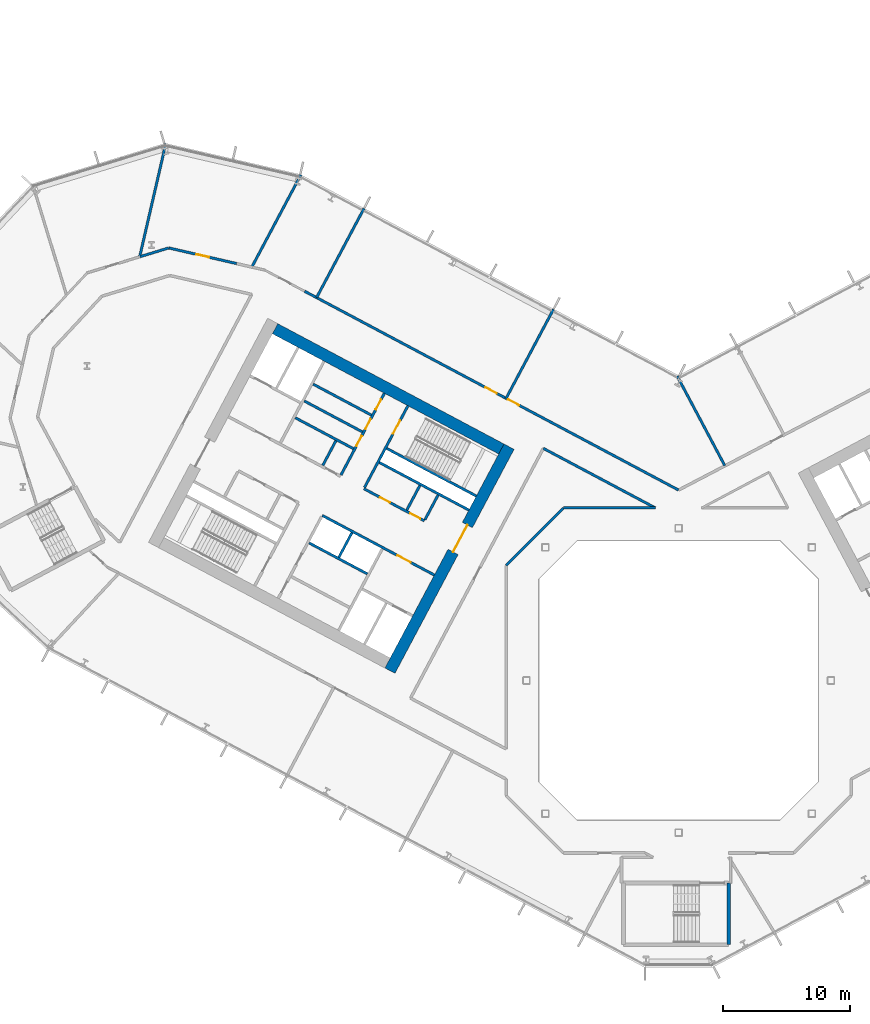
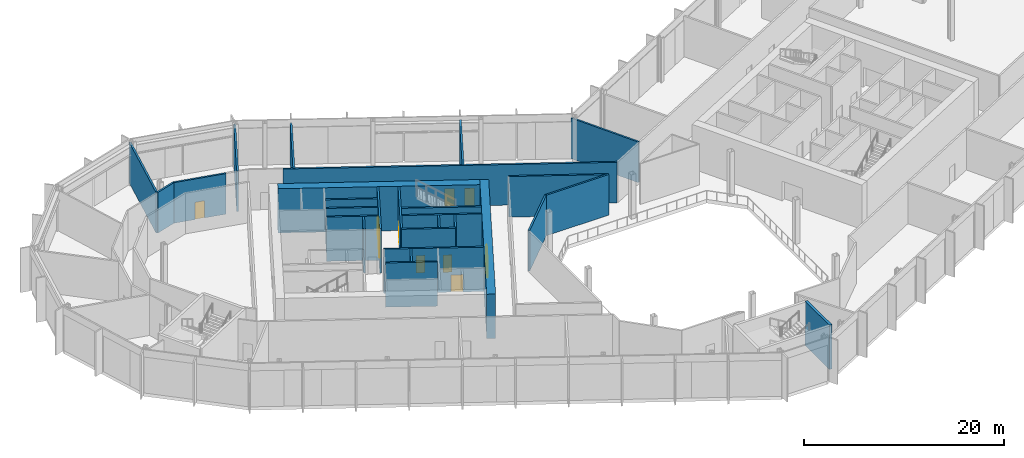
# One storey, part 14 of 31: 28 walls, 11 doors, 11 openings.
"""IFC4 building model written with IfcOpenShell, lengths in metres."""

import ifcopenshell
import ifcopenshell.guid

model = None  # the IFC model being written
_history = None  # IfcOwnerHistory: only IFC2X3 demands one
_inside = {}  # id of a spatial element -> (the spatial element, [elements in it])
_under = {}  # id of a project, library or spatial element -> (it, [spatial elements below it])
_declared = {}  # id of a project -> (the project, [libraries it declares])
_typed = {}  # id of a type object -> (the type object, [elements of that type])
_made_of = {}  # id of a material, layer set ... -> (it, [elements and type objects made of it])


def new_model(schema):
    """Start an empty IFC model of exactly this schema.

    Asked for "IFC4X3", IfcOpenShell would pick the latest addendum, in which some entities
    have other attributes; the version numbers below select the first issue.
    IFC2X3 requires an IfcOwnerHistory on every rooted entity: one is made here for all.
    """
    global model, _history
    if schema == "IFC4X3":
        model = ifcopenshell.file(schema_version=(4, 3, 0, 0))
    else:
        model = ifcopenshell.file(schema=schema)
    _inside.clear()
    _under.clear()
    _declared.clear()
    _typed.clear()
    _made_of.clear()
    _history = None
    if model.schema == "IFC2X3":
        org = make("IfcOrganization", Name="unknown")
        user = make(
            "IfcPersonAndOrganization",
            ThePerson=make("IfcPerson", FamilyName="unknown"),
            TheOrganization=org,
        )
        app = make(
            "IfcApplication",
            ApplicationDeveloper=org,
            Version="unknown",
            ApplicationFullName="unknown",
            ApplicationIdentifier="unknown",
        )
        _history = make(
            "IfcOwnerHistory",
            OwningUser=user,
            OwningApplication=app,
            ChangeAction="ADDED",
            CreationDate=0,
        )
    return model


def make(cls, **values):
    """One entity of the class cls with the attributes given. An attribute that is None is left unset."""
    return model.create_entity(
        cls, **{name: value for name, value in values.items() if value is not None}
    )


def rooted(cls, **values):
    """An entity with a GlobalId (a new one), such as an element, a storey or a relation."""
    return make(cls, GlobalId=ifcopenshell.guid.new(), OwnerHistory=_history, **values)


def si_unit(unit_type, name, prefix=None):
    """IfcSIUnit, for example si_unit("LENGTHUNIT", "METRE", prefix="MILLI")."""
    return make("IfcSIUnit", UnitType=unit_type, Prefix=prefix, Name=name)


def assignment(units):
    """IfcUnitAssignment: the units of a project."""
    return None if units is None else make("IfcUnitAssignment", Units=units)


def point(xyz):
    """IfcCartesianPoint."""
    return None if xyz is None else make("IfcCartesianPoint", Coordinates=xyz)


def direction(xyz):
    """IfcDirection."""
    return None if xyz is None else make("IfcDirection", DirectionRatios=xyz)


def frame(location, z_axis=None, x_axis=None):
    """IfcAxis2Placement3D, a coordinate frame: its origin and axes. An axis left out is left unset."""
    return make(
        "IfcAxis2Placement3D",
        Location=point(location),
        Axis=direction(z_axis),
        RefDirection=direction(x_axis),
    )


def frame_2d(location, x_axis=None):
    """IfcAxis2Placement2D, a coordinate frame in the plane: its origin and x axis."""
    return make(
        "IfcAxis2Placement2D", Location=point(location), RefDirection=direction(x_axis)
    )


def origin():
    """The frame at (0, 0, 0) with its axes left unset."""
    return frame((0.0, 0.0, 0.0))


def place(relative_to, where):
    """IfcLocalPlacement: puts the frame where relative to a parent placement (None: the world)."""
    return make(
        "IfcLocalPlacement", PlacementRelTo=relative_to, RelativePlacement=where
    )


def context(
    kind, dimensions, precision=None, world=None, true_north=None, identifier=None
):
    """IfcGeometricRepresentationContext, for example the 3D "Model" context."""
    return make(
        "IfcGeometricRepresentationContext",
        ContextIdentifier=identifier,
        ContextType=kind,
        CoordinateSpaceDimension=dimensions,
        Precision=precision,
        WorldCoordinateSystem=world,
        TrueNorth=true_north,
    )


def subcontext(parent, identifier, kind, view, scale=None):
    """IfcGeometricRepresentationSubContext, for example "Body" below "Model"."""
    return make(
        "IfcGeometricRepresentationSubContext",
        ContextIdentifier=identifier,
        ContextType=kind,
        ParentContext=parent,
        TargetScale=scale,
        TargetView=view,
    )


def project(units=None, contexts=None):
    """IfcProject with its units and contexts."""
    return rooted(
        "IfcProject",
        Name="project",
        RepresentationContexts=contexts,
        UnitsInContext=assignment(units),
    )


def spatial(cls, under=None, at=None, **own):
    """A site, building, storey or space (cls), placed at a placement, below another one or the project."""
    s = rooted(cls, ObjectPlacement=at, **own)
    if under is not None:
        _under.setdefault(under.id(), (under, []))[1].append(s)
    return s


def profile(cls, at=None, kind="AREA", **sizes):
    """A parametric profile (cls). Its sizes go by their IFC names, for example OverallWidth=200.0."""
    return make(cls, ProfileType=kind, Position=at, **sizes)


def rectangle(**sizes):
    """IfcRectangleProfileDef."""
    return profile("IfcRectangleProfileDef", **sizes)


def extrude(swept, where, along, depth):
    """IfcExtrudedAreaSolid: the profile swept, set in the frame where, extruded along a direction by depth."""
    return make(
        "IfcExtrudedAreaSolid",
        SweptArea=swept,
        Position=where,
        ExtrudedDirection=direction(along),
        Depth=depth,
    )


def shape(context_of_items, identifier, shape_type, items):
    """IfcShapeRepresentation: the items that make up one representation, for example the "Body"."""
    return make(
        "IfcShapeRepresentation",
        ContextOfItems=context_of_items,
        RepresentationIdentifier=identifier,
        RepresentationType=shape_type,
        Items=items,
    )


def material(Name=None, Category=None):
    """IfcMaterial."""
    return make("IfcMaterial", Name=Name, Category=Category)


def layer(
    of_material, thickness, ventilated=None, Name=None, Category=None, Priority=None
):
    """IfcMaterialLayer: one layer of a wall or slab, of a material (None: an air gap)."""
    return make(
        "IfcMaterialLayer",
        Material=of_material,
        LayerThickness=thickness,
        IsVentilated=ventilated,
        Name=Name,
        Category=Category,
        Priority=Priority,
    )


def layer_set(layers, Name=None):
    """IfcMaterialLayerSet."""
    return make("IfcMaterialLayerSet", MaterialLayers=layers, LayerSetName=Name)


def made_of(thing, what):
    """Note that an element or type object is made of a material, layer set ...; save() writes the relation."""
    if what is not None:
        _made_of.setdefault(what.id(), (what, []))[1].append(thing)
    return thing


def type_object(cls, material=None, **own):
    """A type object (cls), such as IfcWallType, which elements share."""
    return made_of(rooted(cls, **own), material)


def element(
    cls,
    number,
    at=None,
    inside=None,
    cuts=None,
    type_object=None,
    material=None,
    context=None,
    identifier="Body",
    shape_type=None,
    held_by="IfcProductDefinitionShape",
    body=None,
    shapes=None,
    **own,
):
    """One element of the class cls, such as IfcWall. Its Tag is "e" and its number.

    at: its placement. inside: the storey or other place that contains it. cuts: it is an
    opening in that element (IfcRelVoidsElement). A single representation is given by context,
    identifier, shape_type and body (its items); several are given by shapes. held_by: the class
    of the entity that holds the representations. save() writes the other relations.
    """
    e = rooted(cls, Tag="e%d" % number, ObjectPlacement=at, **own)
    if body is not None:
        shapes = [shape(context, identifier, shape_type, body)]
    if shapes is not None:
        e.Representation = make(held_by, Representations=shapes)
    if inside is not None:
        _inside.setdefault(inside.id(), (inside, []))[1].append(e)
    if cuts is not None:
        rooted(
            "IfcRelVoidsElement", RelatingBuildingElement=cuts, RelatedOpeningElement=e
        )
    if type_object is not None:
        _typed.setdefault(type_object.id(), (type_object, []))[1].append(e)
    return made_of(e, material)


def fill(opening, filler):
    """IfcRelFillsElement: the door or window that sits in an opening."""
    return rooted(
        "IfcRelFillsElement",
        RelatingOpeningElement=opening,
        RelatedBuildingElement=filler,
    )


def aggregate(whole, parts):
    """IfcRelAggregates: a whole, such as a stair, and the parts it consists of."""
    return rooted("IfcRelAggregates", RelatingObject=whole, RelatedObjects=parts)


def save(model, path):
    """Write the relations noted so far, then the file.

    IfcRelAggregates (storeys below a building ...), IfcRelContainedInSpatialStructure (elements
    in a storey), IfcRelDefinesByType, IfcRelAssociatesMaterial and IfcRelDeclares: one each for
    every whole, place, type object, material and project.
    """
    for whole, parts in _under.values():
        aggregate(whole, parts)
    for where, things in _inside.values():
        rooted(
            "IfcRelContainedInSpatialStructure",
            RelatedElements=things,
            RelatingStructure=where,
        )
    for kind, things in _typed.values():
        rooted("IfcRelDefinesByType", RelatedObjects=things, RelatingType=kind)
    for what, things in _made_of.values():
        rooted("IfcRelAssociatesMaterial", RelatedObjects=things, RelatingMaterial=what)
    for by, libraries in _declared.values():
        rooted("IfcRelDeclares", RelatingContext=by, RelatedDefinitions=libraries)
    model.write(path)


model = new_model("IFC4")

# Units and contexts
model_context = context("Model", 3, precision=1e-05, world=origin(), true_north=direction((0.0, 1.0)))
body_context = subcontext(model_context, "Body", "Model", "MODEL_VIEW")
ifc_project = project(units=[si_unit("LENGTHUNIT", "METRE"), si_unit("AREAUNIT", "SQUARE_METRE"), si_unit("VOLUMEUNIT", "CUBIC_METRE"), si_unit("PLANEANGLEUNIT", "RADIAN"), si_unit("MASSUNIT", "GRAM", prefix="KILO")], contexts=[model_context])

# Site, building, storey
site_placement = place(None, origin())
site = spatial("IfcSite", under=ifc_project, at=site_placement, CompositionType="ELEMENT")
building_placement = place(site_placement, origin())
building = spatial("IfcBuilding", under=site, at=building_placement, Name="Cormorant Relay Tower", CompositionType="ELEMENT")
storey_placement = place(building_placement, frame((0.0, 0.0, 23.0)))
storey = spatial("IfcBuildingStorey", under=building, at=storey_placement, Name="L04", CompositionType="ELEMENT", Elevation=23.0)

# Walls
ifc_material_1 = material(Name="Concrete 40 MPa", Category="concrete")
ifc_layer_1 = layer(ifc_material_1, 0.199951171875)
ifc_layer_set_1 = layer_set([ifc_layer_1], Name="Core internal wall 200")
wall_type_1 = type_object("IfcWallType", Name="Core internal wall 200", PredefinedType="SOLIDWALL", material=ifc_layer_set_1)
wall_1_placement = place(storey_placement, frame((-20.39013671875, 15.371826171875, 0.0), z_axis=(0.0, 0.0, 1.0), x_axis=(-0.4694473164, -0.882960484464, 0.0)))
element("IfcWall", 1, at=wall_1_placement, inside=storey, type_object=wall_type_1, Name="L04 core A shaft and room wall", PredefinedType="SOLIDWALL", context=body_context, shape_type="SweptSolid", body=[
    extrude(rectangle(XDim=2.199951171875, YDim=0.199951171875, at=frame_2d((1.10009765625, 0.0))), origin(), (0.0, 0.0, 1.0), 5.39990234375),
])
wall_2_placement = place(storey_placement, frame((-25.744140625, 11.64990234375, 0.0), z_axis=(0.0, 0.0, 1.0), x_axis=(-0.469487830541, -0.882938942948, 0.0)))
element("IfcWall", 2, at=wall_2_placement, inside=storey, type_object=wall_type_1, Name="L04 core A shaft and room wall", PredefinedType="SOLIDWALL", context=body_context, shape_type="SweptSolid", body=[
    extrude(rectangle(XDim=2.2001953125, YDim=0.199951171875, at=frame_2d((1.10009765625, 0.0))), origin(), (0.0, 0.0, 1.0), 5.39990234375),
])
wall_3_placement = place(storey_placement, frame((-27.01220703125, 18.892822265625, 0.0), z_axis=(0.0, 0.0, 1.0), x_axis=(-0.4694473164, -0.882960484464, 0.0)))
element("IfcWall", 3, at=wall_3_placement, inside=storey, type_object=wall_type_1, Name="L04 core A shaft and room wall", PredefinedType="SOLIDWALL", context=body_context, shape_type="SweptSolid", body=[
    extrude(rectangle(XDim=2.199951171875, YDim=0.199951171875, at=frame_2d((1.10009765625, 0.0))), origin(), (0.0, 0.0, 1.0), 5.39990234375),
])
wall_4_placement = place(storey_placement, frame((-24.214599609375, 20.91650390625, 0.0), z_axis=(0.0, 0.0, 1.0), x_axis=(-0.882964314875, 0.469440111896, 0.0)))
element("IfcWall", 4, at=wall_4_placement, inside=storey, type_object=wall_type_1, Name="L04 core A shaft and room wall", PredefinedType="SOLIDWALL", context=body_context, shape_type="SweptSolid", body=[
    extrude(rectangle(XDim=5.2001953125, YDim=0.199951171875, at=frame_2d((2.60009765625, 0.0))), origin(), (0.0, 0.0, 1.0), 5.39990234375),
])
wall_5_placement = place(storey_placement, frame((-24.9189453125, 19.592041015625, 0.0), z_axis=(0.0, 0.0, 1.0), x_axis=(-0.882953967957, 0.469459572775, 0.0)))
element("IfcWall", 5, at=wall_5_placement, inside=storey, type_object=wall_type_1, Name="L04 core A shaft and room wall", PredefinedType="SOLIDWALL", context=body_context, shape_type="SweptSolid", body=[
    extrude(rectangle(XDim=5.199951171875, YDim=0.199951171875, at=frame_2d((2.60009765625, 0.0))), origin(), (0.0, 0.0, 1.0), 5.39990234375),
])
ifc_material_2 = material(Name="Concrete 50 MPa", Category="concrete")
ifc_layer_2 = layer(ifc_material_2, 0.199951171875)
ifc_layer_set_2 = layer_set([ifc_layer_2], Name="Core shaft wall 200")
wall_type_2 = type_object("IfcWallType", Name="Core shaft wall 200", PredefinedType="SHEAR", material=ifc_layer_set_2)
wall_6_placement = place(storey_placement, frame((-18.959716796875, 14.611328125, 0.0), z_axis=(0.0, 0.0, 1.0), x_axis=(-0.4694473164, -0.882960484464, 0.0)))
element("IfcWall", 6, at=wall_6_placement, inside=storey, type_object=wall_type_2, Name="L04 core A shaft wall", PredefinedType="SHEAR", context=body_context, shape_type="SweptSolid", body=[
    extrude(rectangle(XDim=2.199951171875, YDim=0.199951171875, at=frame_2d((1.10009765625, 0.0))), origin(), (0.0, 0.0, 1.0), 5.39990234375),
])

# Wall, opening, door
wall_7_placement = place(storey_placement, frame((-21.333251953125, 21.6494140625, 0.0), z_axis=(0.0, 0.0, 1.0), x_axis=(-0.469494272526, -0.882935517501, 0.0)))
wall_7 = element("IfcWall", 7, at=wall_7_placement, inside=storey, type_object=wall_type_2, Name="L04 core A shaft wall", PredefinedType="SHEAR", context=body_context, shape_type="SweptSolid", body=[
    extrude(rectangle(XDim=7.2998046875, YDim=0.199951171875, at=frame_2d((3.64990234375, 0.0))), origin(), (0.0, 0.0, 1.0), 5.39990234375),
])
opening_1_placement = place(wall_7_placement, frame((1.300048828125, 0.0, 0.0)))
opening_1 = element("IfcOpeningElement", 8, at=opening_1_placement, cuts=wall_7, Name="Opening CDB-019", PredefinedType="OPENING", context=body_context, shape_type="SweptSolid", body=[
    extrude(rectangle(XDim=1.199951171875, YDim=2.10009765625, at=frame_2d((0.60009765625, 1.050048828125))), frame((0.0, 0.10986328125, 0.0), z_axis=(0.0, -1.0, 0.0), x_axis=(1.0, 0.0, 0.0)), (0.0, 0.0, 1.0), 0.219970703125),
])
ifc_material_3 = material(Name="Steel fire door", Category="steel")
door_type_1 = type_object("IfcDoorType", Name="Core stair door 1200x2100", OperationType="SINGLE_SWING_LEFT", PredefinedType="DOOR", material=ifc_material_3)
door_1_placement = place(opening_1_placement, origin())
door_1 = element("IfcDoor", 9, at=door_1_placement, inside=storey, type_object=door_type_1, Name="Core stair door 1200x2100", OperationType="SINGLE_SWING_RIGHT", OverallHeight=2.10009765625, OverallWidth=1.199951171875, PredefinedType="DOOR", context=body_context, shape_type="SweptSolid", body=[
    extrude(rectangle(XDim=1.199951171875, YDim=2.10009765625, at=frame_2d((0.60009765625, 1.050048828125))), frame((0.0, 0.02490234375, 0.0), z_axis=(0.0, -1.0, 0.0), x_axis=(1.0, 0.0, 0.0)), (0.0, 0.0, 1.0), 0.050048828125),
])
fill(opening_1, door_1)

# Wall, openings, doors
wall_8_placement = place(storey_placement, frame((-23.1875, 22.635498046875, 0.0), z_axis=(0.0, 0.0, 1.0), x_axis=(-0.469454336211, -0.882956752176, 0.0)))
wall_8 = element("IfcWall", 10, at=wall_8_placement, inside=storey, type_object=wall_type_2, Name="L04 core A shaft wall", PredefinedType="SHEAR", context=body_context, shape_type="SweptSolid", body=[
    extrude(rectangle(XDim=7.300048828125, YDim=0.199951171875, at=frame_2d((3.64990234375, 0.0))), origin(), (0.0, 0.0, 1.0), 5.39990234375),
])
opening_2_placement = place(wall_8_placement, frame((0.550048828125, 0.0, 0.0)))
opening_2 = element("IfcOpeningElement", 11, at=opening_2_placement, cuts=wall_8, Name="Opening CDD-071", PredefinedType="OPENING", context=body_context, shape_type="SweptSolid", body=[
    extrude(rectangle(XDim=0.89990234375, YDim=2.10009765625, at=frame_2d((0.449951171875, 1.050048828125))), frame((0.0, 0.10986328125, 0.0), z_axis=(0.0, -1.0, 0.0), x_axis=(1.0, 0.0, 0.0)), (0.0, 0.0, 1.0), 0.219970703125),
])
opening_3_placement = place(wall_8_placement, frame((2.300048828125, 0.0, 0.0)))
opening_3 = element("IfcOpeningElement", 12, at=opening_3_placement, cuts=wall_8, Name="Opening CDD-072", PredefinedType="OPENING", context=body_context, shape_type="SweptSolid", body=[
    extrude(rectangle(XDim=0.89990234375, YDim=2.10009765625, at=frame_2d((0.449951171875, 1.050048828125))), frame((0.0, 0.10986328125, 0.0), z_axis=(0.0, -1.0, 0.0), x_axis=(1.0, 0.0, 0.0)), (0.0, 0.0, 1.0), 0.219970703125),
])
opening_4_placement = place(wall_8_placement, frame((3.800048828125, 0.0, 0.0)))
opening_4 = element("IfcOpeningElement", 13, at=opening_4_placement, cuts=wall_8, Name="Opening CDD-073", PredefinedType="OPENING", context=body_context, shape_type="SweptSolid", body=[
    extrude(rectangle(XDim=0.89990234375, YDim=2.10009765625, at=frame_2d((0.449951171875, 1.050048828125))), frame((0.0, 0.10986328125, 0.0), z_axis=(0.0, -1.0, 0.0), x_axis=(1.0, 0.0, 0.0)), (0.0, 0.0, 1.0), 0.219970703125),
])
ifc_material_4 = material(Name="Steel fire door", Category="steel")
door_type_2 = type_object("IfcDoorType", Name="Core room door 900x2100", OperationType="SINGLE_SWING_LEFT", PredefinedType="DOOR", material=ifc_material_4)
door_2_placement = place(opening_2_placement, origin())
door_2 = element("IfcDoor", 14, at=door_2_placement, inside=storey, type_object=door_type_2, Name="Core room door 900x2100", OperationType="SINGLE_SWING_LEFT", OverallHeight=2.10009765625, OverallWidth=0.89990234375, PredefinedType="DOOR", context=body_context, shape_type="SweptSolid", body=[
    extrude(rectangle(XDim=0.89990234375, YDim=2.10009765625, at=frame_2d((0.449951171875, 1.050048828125))), frame((0.0, 0.02490234375, 0.0), z_axis=(0.0, -1.0, 0.0), x_axis=(1.0, 0.0, 0.0)), (0.0, 0.0, 1.0), 0.050048828125),
])
fill(opening_2, door_2)
door_3_placement = place(opening_3_placement, origin())
door_3 = element("IfcDoor", 15, at=door_3_placement, inside=storey, type_object=door_type_2, Name="Core room door 900x2100", OperationType="SINGLE_SWING_LEFT", OverallHeight=2.10009765625, OverallWidth=0.89990234375, PredefinedType="DOOR", context=body_context, shape_type="SweptSolid", body=[
    extrude(rectangle(XDim=0.89990234375, YDim=2.10009765625, at=frame_2d((0.449951171875, 1.050048828125))), frame((0.0, 0.02490234375, 0.0), z_axis=(0.0, -1.0, 0.0), x_axis=(1.0, 0.0, 0.0)), (0.0, 0.0, 1.0), 0.050048828125),
])
fill(opening_3, door_3)
door_4_placement = place(opening_4_placement, frame((0.89990234375, 0.0, 0.0), z_axis=(0.0, 0.0, 1.0), x_axis=(-1.0, 0.0, 0.0)))
door_4 = element("IfcDoor", 16, at=door_4_placement, inside=storey, type_object=door_type_2, Name="Core room door 900x2100", OperationType="SINGLE_SWING_RIGHT", OverallHeight=2.10009765625, OverallWidth=0.89990234375, PredefinedType="DOOR", context=body_context, shape_type="SweptSolid", body=[
    extrude(rectangle(XDim=0.89990234375, YDim=2.10009765625, at=frame_2d((0.449951171875, 1.050048828125))), frame((0.0, 0.02490234375, 0.0), z_axis=(0.0, -1.0, 0.0), x_axis=(1.0, 0.0, 0.0)), (0.0, 0.0, 1.0), 0.050048828125),
])
fill(opening_4, door_4)

# Walls
wall_9_placement = place(storey_placement, frame((-15.94189453125, 14.53564453125, 0.0), z_axis=(0.0, 0.0, 1.0), x_axis=(-0.882946947542, 0.469472776449, 0.0)))
element("IfcWall", 17, at=wall_9_placement, inside=storey, type_object=wall_type_2, Name="L04 core A shaft wall", PredefinedType="SHEAR", context=body_context, shape_type="SweptSolid", body=[
    extrude(rectangle(XDim=8.000244140625, YDim=0.199951171875, at=frame_2d((4.0, 0.0))), origin(), (0.0, 0.0, 1.0), 5.39990234375),
])
wall_10_placement = place(storey_placement, frame((-16.52880859375, 13.43212890625, 0.0), z_axis=(0.0, 0.0, 1.0), x_axis=(-0.88295287151, 0.469461634952, 0.0)))
element("IfcWall", 18, at=wall_10_placement, inside=storey, type_object=wall_type_2, Name="L04 core A shaft wall", PredefinedType="SHEAR", context=body_context, shape_type="SweptSolid", body=[
    extrude(rectangle(XDim=7.999755859375, YDim=0.199951171875, at=frame_2d((4.0, 0.0))), origin(), (0.0, 0.0, 1.0), 5.39990234375),
])
wall_11_placement = place(storey_placement, frame((-25.623046875, 18.267578125, 0.0), z_axis=(0.0, 0.0, 1.0), x_axis=(-0.882953967957, 0.469459572775, 0.0)))
element("IfcWall", 19, at=wall_11_placement, inside=storey, type_object=wall_type_2, Name="L04 core A shaft wall", PredefinedType="SHEAR", context=body_context, shape_type="SweptSolid", body=[
    extrude(rectangle(XDim=5.199951171875, YDim=0.199951171875, at=frame_2d((2.60009765625, 0.0))), origin(), (0.0, 0.0, 1.0), 5.39990234375),
])

# Wall, openings, doors
wall_12_placement = place(storey_placement, frame((-20.03955078125, 12.58056640625, 0.0), z_axis=(0.0, 0.0, 1.0), x_axis=(-0.882942972946, 0.469480251476, 0.0)))
wall_12 = element("IfcWall", 20, at=wall_12_placement, inside=storey, type_object=wall_type_2, Name="L04 core A shaft wall", PredefinedType="SHEAR", context=body_context, shape_type="SweptSolid", body=[
    extrude(rectangle(XDim=5.39990234375, YDim=0.199951171875, at=frame_2d((2.699951171875, 0.0))), origin(), (0.0, 0.0, 1.0), 5.39990234375),
])
opening_5_placement = place(wall_12_placement, frame((0.360107421875, 0.0, 0.0)))
opening_5 = element("IfcOpeningElement", 21, at=opening_5_placement, cuts=wall_12, Name="Opening CDD-065", PredefinedType="OPENING", context=body_context, shape_type="SweptSolid", body=[
    extrude(rectangle(XDim=0.89990234375, YDim=2.10009765625, at=frame_2d((0.449951171875, 1.050048828125))), frame((0.0, 0.10986328125, 0.0), z_axis=(0.0, -1.0, 0.0), x_axis=(1.0, 0.0, 0.0)), (0.0, 0.0, 1.0), 0.219970703125),
])
opening_6_placement = place(wall_12_placement, frame((3.06005859375, 0.0, 0.0)))
opening_6 = element("IfcOpeningElement", 22, at=opening_6_placement, cuts=wall_12, Name="Opening CDD-066", PredefinedType="OPENING", context=body_context, shape_type="SweptSolid", body=[
    extrude(rectangle(XDim=0.89990234375, YDim=2.10009765625, at=frame_2d((0.449951171875, 1.050048828125))), frame((0.0, 0.10986328125, 0.0), z_axis=(0.0, -1.0, 0.0), x_axis=(1.0, 0.0, 0.0)), (0.0, 0.0, 1.0), 0.219970703125),
])
door_5_placement = place(opening_5_placement, frame((0.89990234375, 0.0, 0.0), z_axis=(0.0, 0.0, 1.0), x_axis=(-1.0, 0.0, 0.0)))
door_5 = element("IfcDoor", 23, at=door_5_placement, inside=storey, type_object=door_type_2, Name="Core room door 900x2100", OperationType="SINGLE_SWING_RIGHT", OverallHeight=2.10009765625, OverallWidth=0.89990234375, PredefinedType="DOOR", context=body_context, shape_type="SweptSolid", body=[
    extrude(rectangle(XDim=0.89990234375, YDim=2.10009765625, at=frame_2d((0.449951171875, 1.050048828125))), frame((0.0, 0.02490234375, 0.0), z_axis=(0.0, -1.0, 0.0), x_axis=(1.0, 0.0, 0.0)), (0.0, 0.0, 1.0), 0.050048828125),
])
fill(opening_5, door_5)
door_6_placement = place(opening_6_placement, frame((0.89990234375, 0.0, 0.0), z_axis=(0.0, 0.0, 1.0), x_axis=(-1.0, 0.0, 0.0)))
door_6 = element("IfcDoor", 24, at=door_6_placement, inside=storey, type_object=door_type_2, Name="Core room door 900x2100", OperationType="SINGLE_SWING_RIGHT", OverallHeight=2.10009765625, OverallWidth=0.89990234375, PredefinedType="DOOR", context=body_context, shape_type="SweptSolid", body=[
    extrude(rectangle(XDim=0.89990234375, YDim=2.10009765625, at=frame_2d((0.449951171875, 1.050048828125))), frame((0.0, 0.02490234375, 0.0), z_axis=(0.0, -1.0, 0.0), x_axis=(1.0, 0.0, 0.0)), (0.0, 0.0, 1.0), 0.050048828125),
])
fill(opening_6, door_6)

# Wall, opening, door
wall_13_placement = place(storey_placement, frame((-19.251708984375, 8.31103515625, 0.0), z_axis=(0.0, 0.0, 1.0), x_axis=(-0.882955722218, 0.469456273365, 0.0)))
wall_13 = element("IfcWall", 25, at=wall_13_placement, inside=storey, type_object=wall_type_2, Name="L04 core A shaft wall", PredefinedType="SHEAR", context=body_context, shape_type="SweptSolid", body=[
    extrude(rectangle(XDim=10.0, YDim=0.199951171875, at=frame_2d((5.0, 0.0))), origin(), (0.0, 0.0, 1.0), 5.39990234375),
])
opening_7_placement = place(wall_13_placement, frame((2.10009765625, 0.0, 0.0)))
opening_7 = element("IfcOpeningElement", 26, at=opening_7_placement, cuts=wall_13, Name="Opening CDC-013", PredefinedType="OPENING", context=body_context, shape_type="SweptSolid", body=[
    extrude(rectangle(XDim=1.199951171875, YDim=2.10009765625, at=frame_2d((0.60009765625, 1.050048828125))), frame((0.0, 0.10986328125, 0.0), z_axis=(0.0, -1.0, 0.0), x_axis=(1.0, 0.0, 0.0)), (0.0, 0.0, 1.0), 0.219970703125),
])
ifc_material_5 = material(Name="Steel fire door", Category="steel")
door_type_3 = type_object("IfcDoorType", Name="Core lobby door 1200x2100", OperationType="SINGLE_SWING_LEFT", PredefinedType="DOOR", material=ifc_material_5)
door_7_placement = place(opening_7_placement, origin())
door_7 = element("IfcDoor", 27, at=door_7_placement, inside=storey, type_object=door_type_3, Name="Core lobby door 1200x2100", OperationType="SINGLE_SWING_RIGHT", OverallHeight=2.10009765625, OverallWidth=1.199951171875, PredefinedType="DOOR", context=body_context, shape_type="SweptSolid", body=[
    extrude(rectangle(XDim=1.199951171875, YDim=2.10009765625, at=frame_2d((0.60009765625, 1.050048828125))), frame((0.0, 0.02490234375, 0.0), z_axis=(0.0, -1.0, 0.0), x_axis=(1.0, 0.0, 0.0)), (0.0, 0.0, 1.0), 0.050048828125),
])
fill(opening_7, door_7)

# Wall
wall_14_placement = place(storey_placement, frame((-24.5283203125, 8.3984375, 0.0), z_axis=(0.0, 0.0, 1.0), x_axis=(-0.882953967957, 0.469459572775, 0.0)))
element("IfcWall", 28, at=wall_14_placement, inside=storey, type_object=wall_type_2, Name="L04 core A shaft wall", PredefinedType="SHEAR", context=body_context, shape_type="SweptSolid", body=[
    extrude(rectangle(XDim=5.199951171875, YDim=0.199951171875, at=frame_2d((2.60009765625, 0.0))), origin(), (0.0, 0.0, 1.0), 5.39990234375),
])

# Wall, opening, door
ifc_material_6 = material(Name="Concrete 70 MPa", Category="concrete")
ifc_layer_3 = layer(ifc_material_6, 0.89990234375)
ifc_layer_set_3 = layer_set([ifc_layer_3], Name="Core wall 900")
wall_type_3 = type_object("IfcWallType", Name="Core wall 900", PredefinedType="SHEAR", material=ifc_layer_set_3)
wall_15_placement = place(storey_placement, frame((-13.361572265625, 18.43017578125, 0.0), z_axis=(0.0, 0.0, 1.0), x_axis=(-0.46947084998, -0.882947971864, 0.0)))
wall_15 = element("IfcWall", 29, at=wall_15_placement, inside=storey, type_object=wall_type_3, Name="L04 core A wall", PredefinedType="SHEAR", context=body_context, shape_type="SweptSolid", body=[
    extrude(rectangle(XDim=20.0, YDim=0.89990234375, at=frame_2d((10.0, 0.0))), origin(), (0.0, 0.0, 1.0), 5.39990234375),
])
opening_8_placement = place(wall_15_placement, frame((7.0, 0.0, 0.0)))
opening_8 = element("IfcOpeningElement", 30, at=opening_8_placement, cuts=wall_15, Name="Opening CDA-013", PredefinedType="OPENING", context=body_context, shape_type="SweptSolid", body=[
    extrude(rectangle(XDim=2.39990234375, YDim=2.39990234375, at=frame_2d((1.199951171875, 1.199951171875))), frame((0.0, 0.4599609375, 0.0), z_axis=(0.0, -1.0, 0.0), x_axis=(1.0, 0.0, 0.0)), (0.0, 0.0, 1.0), 0.919921875),
])
ifc_material_7 = material(Name="Steel fire door", Category="steel")
door_type_4 = type_object("IfcDoorType", Name="Core lobby door 2400x2400", OperationType="DOUBLE_DOOR_SINGLE_SWING", PredefinedType="DOOR", material=ifc_material_7)
door_8_placement = place(opening_8_placement, frame((2.39990234375, 0.0, 0.0), z_axis=(0.0, 0.0, 1.0), x_axis=(-1.0, 0.0, 0.0)))
door_8 = element("IfcDoor", 31, at=door_8_placement, inside=storey, type_object=door_type_4, Name="Core lobby door 2400x2400", OperationType="DOUBLE_DOOR_SINGLE_SWING", OverallHeight=2.39990234375, OverallWidth=2.39990234375, PredefinedType="DOOR", context=body_context, shape_type="SweptSolid", body=[
    extrude(rectangle(XDim=2.39990234375, YDim=2.39990234375, at=frame_2d((1.199951171875, 1.199951171875))), frame((0.0, 0.02490234375, 0.0), z_axis=(0.0, -1.0, 0.0), x_axis=(1.0, 0.0, 0.0)), (0.0, 0.0, 1.0), 0.050048828125),
])
fill(opening_8, door_8)

# Walls
wall_16_placement = place(storey_placement, frame((-13.97021484375, 18.244140625, 0.0), z_axis=(0.0, 0.0, 1.0), x_axis=(-0.88294509198, 0.469476266226, 0.0)))
element("IfcWall", 32, at=wall_16_placement, inside=storey, type_object=wall_type_3, Name="L04 core A wall", PredefinedType="SHEAR", context=body_context, shape_type="SweptSolid", body=[
    extrude(rectangle(XDim=20.199951171875, YDim=0.89990234375, at=frame_2d((10.10009765625, 0.0))), origin(), (0.0, 0.0, 1.0), 5.39990234375),
])
ifc_material_8 = material(Name="Fire-rated gypsum board partition")
ifc_layer_4 = layer(ifc_material_8, 0.199951171875)
ifc_layer_set_4 = layer_set([ifc_layer_4], Name="Fire-rated gypsum partition 200")
wall_type_4 = type_object("IfcWallType", Name="Fire-rated gypsum partition 200", PredefinedType="PARTITIONING", material=ifc_layer_set_4)
wall_17_placement = place(storey_placement, frame((-40.4189453125, 42.31494140625, 0.0), z_axis=(0.0, 0.0, 1.0), x_axis=(-0.225003617867, -0.974357928046, 0.0)))
element("IfcWall", 33, at=wall_17_placement, inside=storey, type_object=wall_type_4, Name="wall/L04/part/25", PredefinedType="PARTITIONING", context=body_context, shape_type="SweptSolid", body=[
    extrude(rectangle(XDim=9.15576171875, YDim=0.199951171875, at=frame_2d((4.577880859375, 0.0))), origin(), (0.0, 0.0, 1.0), 4.949951171875),
])
wall_18_placement = place(storey_placement, frame((-40.18505859375, 34.094970703125, 0.0), z_axis=(0.0, 0.0, 1.0), x_axis=(-0.956334756987, -0.292273557781, 0.0)))
element("IfcWall", 34, at=wall_18_placement, inside=storey, type_object=wall_type_4, Name="wall/L04/part/26", PredefinedType="PARTITIONING", context=body_context, shape_type="SweptSolid", body=[
    extrude(rectangle(XDim=2.3671875, YDim=0.199951171875, at=frame_2d((1.18359375, 0.0))), origin(), (0.0, 0.0, 1.0), 4.949951171875),
])

# Wall, opening, door
wall_19_placement = place(storey_placement, frame((-40.18603515625, 34.094970703125, 0.0), z_axis=(0.0, 0.0, 1.0), x_axis=(0.974351478487, -0.225031545278, 0.0)))
wall_19 = element("IfcWall", 35, at=wall_19_placement, inside=storey, type_object=wall_type_4, Name="wall/L04/part/27", PredefinedType="PARTITIONING", context=body_context, shape_type="SweptSolid", body=[
    extrude(rectangle(XDim=5.492919921875, YDim=0.199951171875, at=frame_2d((2.74658203125, 0.0))), origin(), (0.0, 0.0, 1.0), 4.949951171875),
])
opening_9_placement = place(wall_19_placement, frame((2.25, 0.0, 0.0)))
opening_9 = element("IfcOpeningElement", 36, at=opening_9_placement, cuts=wall_19, Name="Opening FD1-015", PredefinedType="OPENING", context=body_context, shape_type="SweptSolid", body=[
    extrude(rectangle(XDim=1.0, YDim=2.10009765625, at=frame_2d((0.5, 1.050048828125))), frame((0.0, 0.10986328125, 0.0), z_axis=(0.0, -1.0, 0.0), x_axis=(1.0, 0.0, 0.0)), (0.0, 0.0, 1.0), 0.219970703125),
])
ifc_material_9 = material(Name="Fire-rated steel door", Category="steel")
door_type_5 = type_object("IfcDoorType", Name="Fire door 1000 x 2100", OperationType="SINGLE_SWING_LEFT", PredefinedType="DOOR", material=ifc_material_9)
door_9_placement = place(opening_9_placement, origin())
door_9 = element("IfcDoor", 37, at=door_9_placement, inside=storey, type_object=door_type_5, Name="door/L04/15", OperationType="SINGLE_SWING_RIGHT", OverallHeight=2.10009765625, OverallWidth=1.0, PredefinedType="DOOR", context=body_context, shape_type="SweptSolid", body=[
    extrude(rectangle(XDim=1.0, YDim=2.10009765625, at=frame_2d((0.5, 1.050048828125))), frame((0.0, 0.02490234375, 0.0), z_axis=(0.0, -1.0, 0.0), x_axis=(1.0, 0.0, 0.0)), (0.0, 0.0, 1.0), 0.050048828125),
])
fill(opening_9, door_9)

# Wall
wall_20_placement = place(storey_placement, frame((-29.779052734375, 39.845947265625, 0.0), z_axis=(0.0, 0.0, 1.0), x_axis=(-0.469432289294, -0.882968473824, 0.0)))
element("IfcWall", 38, at=wall_20_placement, inside=storey, type_object=wall_type_4, Name="wall/L04/part/29", PredefinedType="PARTITIONING", context=body_context, shape_type="SweptSolid", body=[
    extrude(rectangle(XDim=8.224365234375, YDim=0.199951171875, at=frame_2d((4.1123046875, 0.0))), origin(), (0.0, 0.0, 1.0), 4.949951171875),
])

# Wall, openings, doors
wall_21_placement = place(storey_placement, frame((-29.47900390625, 30.680908203125, 0.0), z_axis=(0.0, 0.0, 1.0), x_axis=(0.882953009593, -0.469461375249, 0.0)))
wall_21 = element("IfcWall", 39, at=wall_21_placement, inside=storey, type_object=wall_type_4, Name="wall/L04/part/33", PredefinedType="PARTITIONING", context=body_context, shape_type="SweptSolid", body=[
    extrude(rectangle(XDim=33.38671875, YDim=0.199951171875, at=frame_2d((16.693359375, 0.0))), origin(), (0.0, 0.0, 1.0), 4.949951171875),
])
opening_10_placement = place(wall_21_placement, frame((18.14990234375, 0.0, 0.0)))
opening_10 = element("IfcOpeningElement", 40, at=opening_10_placement, cuts=wall_21, Name="Opening FD1-013", PredefinedType="OPENING", context=body_context, shape_type="SweptSolid", body=[
    extrude(rectangle(XDim=1.0, YDim=2.10009765625, at=frame_2d((0.5, 1.050048828125))), frame((0.0, 0.10986328125, 0.0), z_axis=(0.0, -1.0, 0.0), x_axis=(1.0, 0.0, 0.0)), (0.0, 0.0, 1.0), 0.219970703125),
])
opening_11_placement = place(wall_21_placement, frame((16.14990234375, 0.0, 0.0)))
opening_11 = element("IfcOpeningElement", 41, at=opening_11_placement, cuts=wall_21, Name="Opening FD1-014", PredefinedType="OPENING", context=body_context, shape_type="SweptSolid", body=[
    extrude(rectangle(XDim=1.0, YDim=2.10009765625, at=frame_2d((0.5, 1.050048828125))), frame((0.0, 0.10986328125, 0.0), z_axis=(0.0, -1.0, 0.0), x_axis=(1.0, 0.0, 0.0)), (0.0, 0.0, 1.0), 0.219970703125),
])
door_10_placement = place(opening_10_placement, origin())
door_10 = element("IfcDoor", 42, at=door_10_placement, inside=storey, type_object=door_type_5, Name="door/L04/12", OperationType="SINGLE_SWING_LEFT", OverallHeight=2.10009765625, OverallWidth=1.0, PredefinedType="DOOR", context=body_context, shape_type="SweptSolid", body=[
    extrude(rectangle(XDim=1.0, YDim=2.10009765625, at=frame_2d((0.5, 1.050048828125))), frame((0.0, 0.02490234375, 0.0), z_axis=(0.0, -1.0, 0.0), x_axis=(1.0, 0.0, 0.0)), (0.0, 0.0, 1.0), 0.050048828125),
])
fill(opening_10, door_10)
door_11_placement = place(opening_11_placement, origin())
door_11 = element("IfcDoor", 43, at=door_11_placement, inside=storey, type_object=door_type_5, Name="door/L04/13", OperationType="SINGLE_SWING_RIGHT", OverallHeight=2.10009765625, OverallWidth=1.0, PredefinedType="DOOR", context=body_context, shape_type="SweptSolid", body=[
    extrude(rectangle(XDim=1.0, YDim=2.10009765625, at=frame_2d((0.5, 1.050048828125))), frame((0.0, 0.02490234375, 0.0), z_axis=(0.0, -1.0, 0.0), x_axis=(1.0, 0.0, 0.0)), (0.0, 0.0, 1.0), 0.050048828125),
])
fill(opening_11, door_11)

# Walls
wall_22_placement = place(storey_placement, frame((-24.800048828125, 37.197021484375, 0.0), z_axis=(0.0, 0.0, 1.0), x_axis=(-0.469551855795, -0.882904895625, 0.0)))
element("IfcWall", 44, at=wall_22_placement, inside=storey, type_object=wall_type_4, Name="wall/L04/part/35", PredefinedType="PARTITIONING", context=body_context, shape_type="SweptSolid", body=[
    extrude(rectangle(XDim=7.949951171875, YDim=0.199951171875, at=frame_2d((3.97509765625, 0.0))), origin(), (0.0, 0.0, 1.0), 4.949951171875),
])
wall_23_placement = place(storey_placement, frame((-9.864013671875, 29.2548828125, 0.0), z_axis=(0.0, 0.0, 1.0), x_axis=(-0.469468822461, -0.88294904991, 0.0)))
element("IfcWall", 45, at=wall_23_placement, inside=storey, type_object=wall_type_4, Name="wall/L04/part/36", PredefinedType="PARTITIONING", context=body_context, shape_type="SweptSolid", body=[
    extrude(rectangle(XDim=7.94921875, YDim=0.199951171875, at=frame_2d((3.974609375, 0.0))), origin(), (0.0, 0.0, 1.0), 4.949951171875),
])
wall_24_placement = place(storey_placement, frame((-0.10498046875, 23.98388671875, 0.0), z_axis=(0.0, 0.0, 1.0), x_axis=(0.469381988783, -0.882995214373, 0.0)))
element("IfcWall", 46, at=wall_24_placement, inside=storey, type_object=wall_type_4, Name="wall/L04/part/38", PredefinedType="PARTITIONING", context=body_context, shape_type="SweptSolid", body=[
    extrude(rectangle(XDim=7.976318359375, YDim=0.199951171875, at=frame_2d((3.98828125, 0.0))), origin(), (0.0, 0.0, 1.0), 4.949951171875),
])
wall_25_placement = place(storey_placement, frame((-10.657958984375, 18.294921875, 0.0), z_axis=(0.0, 0.0, 1.0), x_axis=(0.88295636352, -0.4694550672, 0.0)))
element("IfcWall", 47, at=wall_25_placement, inside=storey, type_object=wall_type_4, Name="wall/L04/part/76", PredefinedType="PARTITIONING", context=body_context, shape_type="SweptSolid", body=[
    extrude(rectangle(XDim=10.00048828125, YDim=0.199951171875, at=frame_2d((5.000244140625, 0.0))), origin(), (0.0, 0.0, 1.0), 4.949951171875),
])
wall_26_placement = place(storey_placement, frame((-1.827880859375, 13.60009765625, 0.0), z_axis=(0.0, 0.0, 1.0), x_axis=(-1.0, 0.0, 0.0)))
element("IfcWall", 48, at=wall_26_placement, inside=storey, type_object=wall_type_4, Name="wall/L04/part/77", PredefinedType="PARTITIONING", context=body_context, shape_type="SweptSolid", body=[
    extrude(rectangle(XDim=7.2490234375, YDim=0.199951171875, at=frame_2d((3.62451171875, 0.0))), origin(), (0.0, 0.0, 1.0), 4.949951171875),
])
wall_27_placement = place(storey_placement, frame((-9.076904296875, 13.60009765625, 0.0), z_axis=(0.0, 0.0, 1.0), x_axis=(-0.707106781187, -0.707106781187, 0.0)))
element("IfcWall", 49, at=wall_27_placement, inside=storey, type_object=wall_type_4, Name="wall/L04/part/78", PredefinedType="PARTITIONING", context=body_context, shape_type="SweptSolid", body=[
    extrude(rectangle(XDim=6.396728515625, YDim=0.199951171875, at=frame_2d((3.1982421875, 0.0))), origin(), (0.0, 0.0, 1.0), 4.949951171875),
])
ifc_material_10 = material(Name="Concrete 50 MPa", Category="concrete")
ifc_layer_5 = layer(ifc_material_10, 0.300048828125)
ifc_layer_set_5 = layer_set([ifc_layer_5], Name="Remote stair wall 300")
wall_type_5 = type_object("IfcWallType", Name="Remote stair wall 300", PredefinedType="SHEAR", material=ifc_layer_set_5)
wall_28_placement = place(storey_placement, frame((3.949951171875, -15.97509765625, 0.0), z_axis=(0.0, 0.0, 1.0), x_axis=(0.0, -1.0, 0.0)))
element("IfcWall", 50, at=wall_28_placement, inside=storey, type_object=wall_type_5, Name="L04 exit stair RK1 wall", PredefinedType="SHEAR", context=body_context, shape_type="SweptSolid", body=[
    extrude(rectangle(XDim=4.849853515625, YDim=0.300048828125, at=frame_2d((2.4248046875, 0.0))), origin(), (0.0, 0.0, 1.0), 5.39990234375),
])

save(model, "model.ifc")
